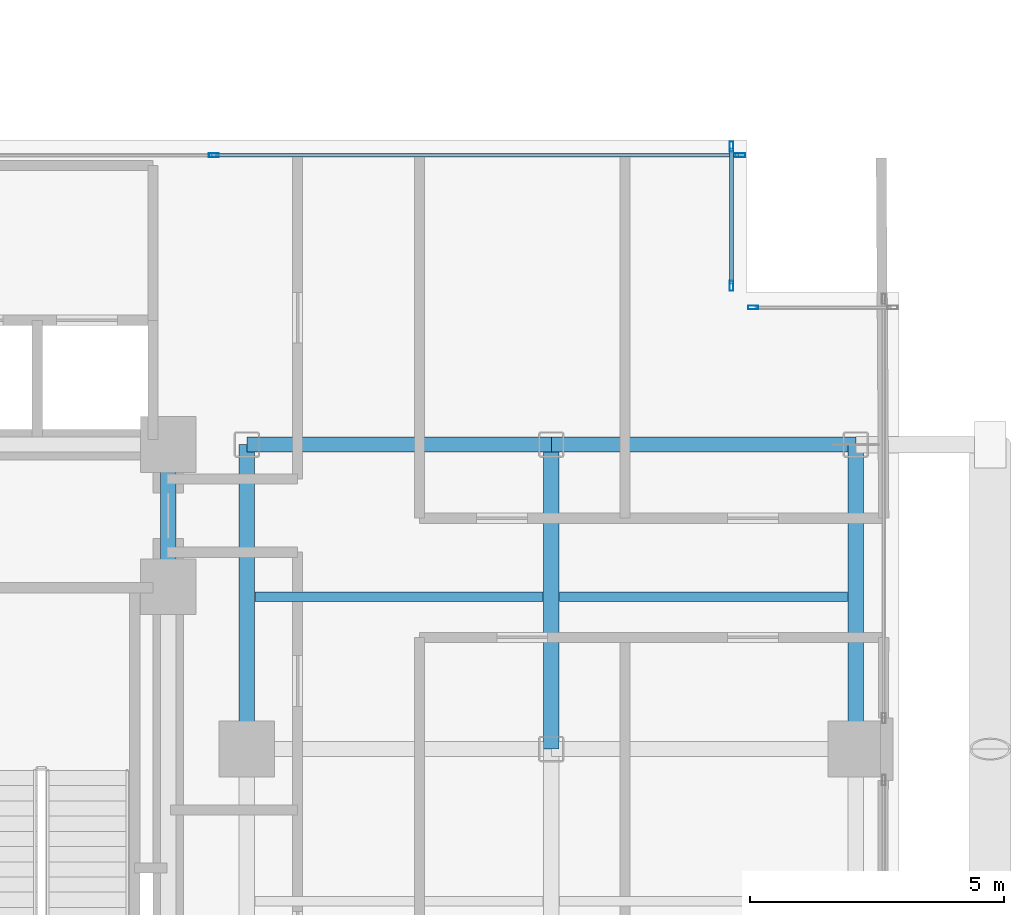
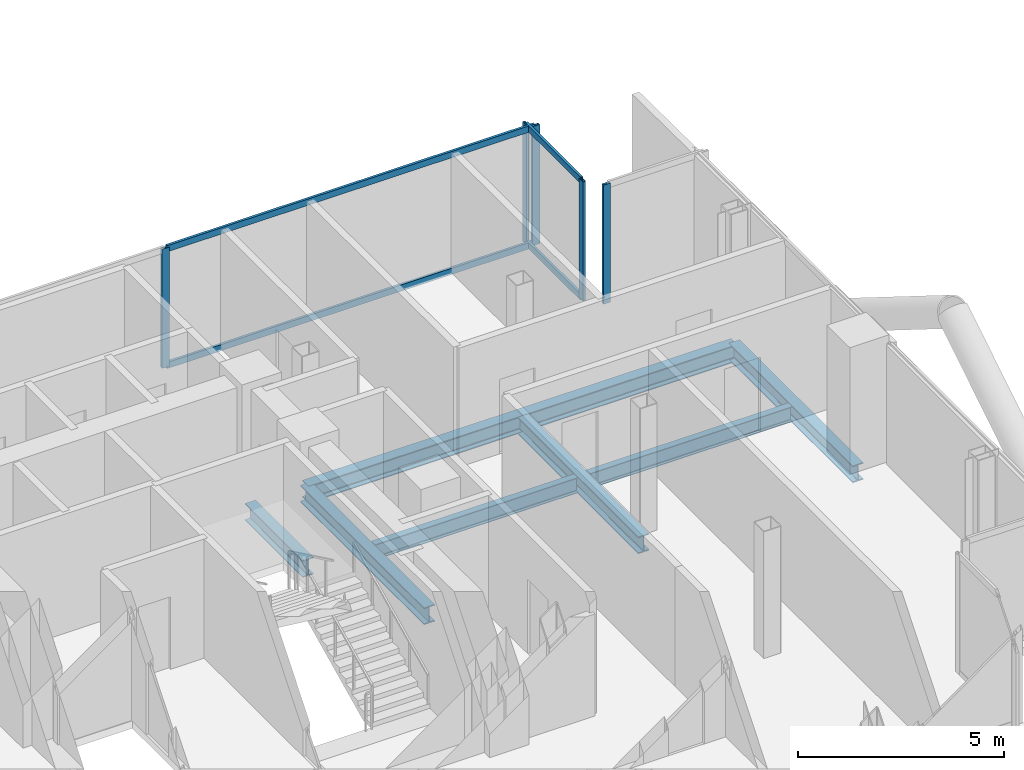
# One storey, part 13 of 28: 9 members, 8 beams, 3 elements without a shape of their own.
"""IFC4 building model written with IfcOpenShell, lengths in metres."""

from ifc_helpers import new_model, si_unit, direction, frame, origin, origin_2d, place, context, subcontext, project, spatial, hollow_rectangle, i_section, extrude, material, layer, layer_set, material_profile, profile_set, type_object, element, aggregate, save


model = new_model("IFC4")

# Units and contexts
model_context = context("Model", 3, precision=1e-05, world=origin(), true_north=direction((0.0, 1.0)))
body_context = subcontext(model_context, "Body", "Model", "MODEL_VIEW")
ifc_project = project(units=[si_unit("LENGTHUNIT", "METRE"), si_unit("AREAUNIT", "SQUARE_METRE"), si_unit("VOLUMEUNIT", "CUBIC_METRE"), si_unit("PLANEANGLEUNIT", "RADIAN"), si_unit("MASSUNIT", "GRAM", prefix="KILO"), si_unit("THERMODYNAMICTEMPERATUREUNIT", "KELVIN"), si_unit("POWERUNIT", "WATT")], contexts=[model_context])

# Site, building, storey
site_placement = place(None, origin())
site = spatial("IfcSite", under=ifc_project, at=site_placement, CompositionType="ELEMENT")
building_placement = place(site_placement, origin())
building = spatial("IfcBuilding", under=site, at=building_placement, Name="Svarakhadi Broadcast Tower", CompositionType="ELEMENT")
storey_placement = place(building_placement, frame((0.0, 0.0, 119.39990234375)))
storey = spatial("IfcBuildingStorey", under=building, at=storey_placement, Name="L28", CompositionType="ELEMENT", Elevation=119.39990234375)

# Beams
ifc_material_1 = material(Name="Steel S355J2 (IS 2062 E350C)", Category="steel")
ifc_material_profile_1 = material_profile(ifc_material_1, i_section(OverallWidth=0.18994140625, OverallDepth=0.449951171875, WebThickness=0.009521484375, FlangeThickness=0.0146484375, FilletRadius=0.02099609375, at=origin_2d()), Name="NPB 450x190x78")
ifc_profile_set_1 = profile_set([ifc_material_profile_1], Name="Steel S355J2 (IS 2062 E350C)")
beam_type_1 = type_object("IfcBeamType", Name="Beam_NPB450", PredefinedType="BEAM", material=ifc_profile_set_1)
for number, where, z_axis, x_axis, name in (
    (1, (35.31005859375, 15.0, -0.449951171875), (1.0, 0.0, 0.0), (0.0, 1.0, 0.0), "L28 Secondary Composite Beam SB021"),
    (2, (41.31005859375, 15.0, -0.449951171875), (1.0, 0.0, 0.0), (0.0, 1.0, 0.0), "L28 Secondary Composite Beam SB023"),
):
    element("IfcBeam", number, at=place(storey_placement, frame(where, z_axis=z_axis, x_axis=x_axis)), inside=storey, type_object=beam_type_1, Name=name, PredefinedType="BEAM", context=body_context, shape_type="SweptSolid", body=[
        extrude(i_section(OverallWidth=0.18994140625, OverallDepth=0.449951171875, WebThickness=0.009521484375, FlangeThickness=0.0146484375, FilletRadius=0.02099609375, at=origin_2d()), origin(), (0.0, 0.0, 1.0), 5.679931640625),
    ])

# Curtain wall, members
ifc_material_2 = material(Name="Anodised Bronze Aluminium AA 6063-T6", Category="aluminium")
ifc_layer = layer(ifc_material_2, 0.199951171875)
ifc_layer_set = layer_set([ifc_layer], Name="Anodised Bronze Aluminium AA 6063-T6")
curtain_wall_type = type_object("IfcCurtainWallType", Name="CW_Sys_03", PredefinedType="NOTDEFINED", material=ifc_layer_set)
curtain_wall_1_placement = place(storey_placement, origin())
curtain_wall_1 = element("IfcCurtainWall", 3, at=curtain_wall_1_placement, inside=storey, type_object=curtain_wall_type, Name="L28 Unitised Facade Curtain Wall 10", PredefinedType="NOTDEFINED")
ifc_material_profile_2 = material_profile(ifc_material_2, hollow_rectangle(XDim=0.074951171875, YDim=0.199951171875, WallThickness=0.005615234375, at=origin_2d()), Name="ALU MULLION 200x75x6")
ifc_profile_set_2 = profile_set([ifc_material_profile_2], Name="Anodised Bronze Aluminium AA 6063-T6")
member_type_1 = type_object("IfcMemberType", Name="CW_Sys_03_Mul", PredefinedType="MULLION", material=ifc_profile_set_2)
member_1_placement = place(storey_placement, frame((34.5, 23.699951171875, 0.0), z_axis=(0.0, 0.0, 1.0), x_axis=(0.0, 1.0, 0.0)))
member_1 = element("IfcMember", 4, at=member_1_placement, type_object=member_type_1, Name="CW-03 mullion 2", PredefinedType="MULLION", context=body_context, shape_type="SweptSolid", body=[
    extrude(hollow_rectangle(XDim=0.074951171875, YDim=0.199951171875, WallThickness=0.005615234375, at=origin_2d()), origin(), (0.0, 0.0, 1.0), 3.525146484375),
])
member_2_placement = place(storey_placement, frame((44.87255859375, 23.699951171875, 0.0), z_axis=(0.0, 0.0, 1.0), x_axis=(0.0, 1.0, 0.0)))
member_2 = element("IfcMember", 5, at=member_2_placement, type_object=member_type_1, Name="CW-03 mullion 3", PredefinedType="MULLION", context=body_context, shape_type="SweptSolid", body=[
    extrude(hollow_rectangle(XDim=0.074951171875, YDim=0.199951171875, WallThickness=0.005615234375, at=origin_2d()), origin(), (0.0, 0.0, 1.0), 3.525146484375),
])

curtain_wall_2_placement = place(storey_placement, origin())
curtain_wall_2 = element("IfcCurtainWall", 6, at=curtain_wall_2_placement, inside=storey, type_object=curtain_wall_type, Name="L28 Unitised Facade Curtain Wall 11", PredefinedType="NOTDEFINED")
member_3_placement = place(storey_placement, frame((44.699951171875, 23.87255859375, 0.0), z_axis=(0.0, 0.0, 1.0), x_axis=(1.0, 0.0, 0.0)))
member_3 = element("IfcMember", 7, at=member_3_placement, type_object=member_type_1, Name="CW-03 mullion 1", PredefinedType="MULLION", context=body_context, shape_type="SweptSolid", body=[
    extrude(hollow_rectangle(XDim=0.074951171875, YDim=0.199951171875, WallThickness=0.005615234375, at=origin_2d()), origin(), (0.0, 0.0, 1.0), 3.525146484375),
])
member_4_placement = place(storey_placement, frame((44.699951171875, 21.12744140625, 0.0), z_axis=(0.0, 0.0, 1.0), x_axis=(1.0, 0.0, 0.0)))
member_4 = element("IfcMember", 8, at=member_4_placement, type_object=member_type_1, Name="CW-03 mullion 2", PredefinedType="MULLION", context=body_context, shape_type="SweptSolid", body=[
    extrude(hollow_rectangle(XDim=0.074951171875, YDim=0.199951171875, WallThickness=0.005615234375, at=origin_2d()), origin(), (0.0, 0.0, 1.0), 3.525146484375),
])

# Curtain wall, member
curtain_wall_3_placement = place(storey_placement, origin())
curtain_wall_3 = element("IfcCurtainWall", 9, at=curtain_wall_3_placement, inside=storey, type_object=curtain_wall_type, Name="L28 Unitised Facade Curtain Wall 12", PredefinedType="NOTDEFINED")
member_5_placement = place(storey_placement, frame((45.12744140625, 20.699951171875, 0.0), z_axis=(0.0, 0.0, 1.0), x_axis=(0.0, 1.0, 0.0)))
member_5 = element("IfcMember", 10, at=member_5_placement, type_object=member_type_1, Name="CW-03 mullion 1", PredefinedType="MULLION", context=body_context, shape_type="SweptSolid", body=[
    extrude(hollow_rectangle(XDim=0.074951171875, YDim=0.199951171875, WallThickness=0.005615234375, at=origin_2d()), origin(), (0.0, 0.0, 1.0), 3.525146484375),
])
aggregate(curtain_wall_3, [member_5])

# Member
ifc_material_profile_3 = material_profile(ifc_material_2, hollow_rectangle(XDim=0.070068359375, YDim=0.18505859375, WallThickness=0.0048828125, at=origin_2d()), Name="ALU TRANSOM 185x70x5")
ifc_profile_set_3 = profile_set([ifc_material_profile_3], Name="Anodised Bronze Aluminium AA 6063-T6")
member_type_2 = type_object("IfcMemberType", Name="CW_Sys_03_Trn", PredefinedType="USERDEFINED", material=ifc_profile_set_3)
member_6_placement = place(storey_placement, frame((34.53759765625, 23.699951171875, 0.03515625), z_axis=(1.0, 0.0, 0.0), x_axis=(0.0, 1.0, 0.0)))
member_6 = element("IfcMember", 11, at=member_6_placement, type_object=member_type_2, Name="CW-03 transom 2.1", ObjectType="TRANSOM", PredefinedType="USERDEFINED", context=body_context, shape_type="SweptSolid", body=[
    extrude(hollow_rectangle(XDim=0.070068359375, YDim=0.18505859375, WallThickness=0.0048828125, at=origin_2d()), origin(), (0.0, 0.0, 1.0), 10.29736328125),
])

member_7_placement = place(storey_placement, frame((34.53759765625, 23.699951171875, 3.489990234375), z_axis=(1.0, 0.0, 0.0), x_axis=(0.0, 1.0, 0.0)))
member_7 = element("IfcMember", 12, at=member_7_placement, type_object=member_type_2, Name="CW-03 transom 2.2", ObjectType="TRANSOM", PredefinedType="USERDEFINED", context=body_context, shape_type="SweptSolid", body=[
    extrude(hollow_rectangle(XDim=0.070068359375, YDim=0.18505859375, WallThickness=0.0048828125, at=origin_2d()), origin(), (0.0, 0.0, 1.0), 10.29736328125),
])

aggregate(curtain_wall_1, [member_1, member_2, member_6, member_7])

member_8_placement = place(storey_placement, frame((44.699951171875, 23.8349609375, 0.03515625), z_axis=(0.0, -1.0, 0.0), x_axis=(1.0, 0.0, 0.0)))
member_8 = element("IfcMember", 13, at=member_8_placement, type_object=member_type_2, Name="CW-03 transom 1.1", ObjectType="TRANSOM", PredefinedType="USERDEFINED", context=body_context, shape_type="SweptSolid", body=[
    extrude(hollow_rectangle(XDim=0.070068359375, YDim=0.18505859375, WallThickness=0.0048828125, at=origin_2d()), origin(), (0.0, 0.0, 1.0), 2.669921875),
])

member_9_placement = place(storey_placement, frame((44.699951171875, 23.8349609375, 3.489990234375), z_axis=(0.0, -1.0, 0.0), x_axis=(1.0, 0.0, 0.0)))
member_9 = element("IfcMember", 14, at=member_9_placement, type_object=member_type_2, Name="CW-03 transom 1.2", ObjectType="TRANSOM", PredefinedType="USERDEFINED", context=body_context, shape_type="SweptSolid", body=[
    extrude(hollow_rectangle(XDim=0.070068359375, YDim=0.18505859375, WallThickness=0.0048828125, at=origin_2d()), origin(), (0.0, 0.0, 1.0), 2.669921875),
])

aggregate(curtain_wall_2, [member_3, member_4, member_8, member_9])

# Beams
ifc_material_profile_4 = material_profile(ifc_material_1, i_section(OverallWidth=0.300048828125, OverallDepth=0.5, WebThickness=0.014404296875, FlangeThickness=0.028076171875, FilletRadius=0.027099609375, at=origin_2d()), Name="WPB 500x300x187")
ifc_profile_set_4 = profile_set([ifc_material_profile_4], Name="Steel S355J2 (IS 2062 E350C)")
beam_type_2 = type_object("IfcBeamType", Name="Girder_WPB500", PredefinedType="USERDEFINED", material=ifc_profile_set_4)
for number, where, z_axis, x_axis, name in (
    (15, (35.14990234375, 18.0, -0.474853515625), (1.0, 0.0, 0.0), (0.0, 1.0, 0.0), "L28 Primary E-W Girder G028"),
    (16, (41.14990234375, 18.0, -0.474853515625), (1.0, 0.0, 0.0), (0.0, 1.0, 0.0), "L28 Primary E-W Girder G029"),
):
    element("IfcBeam", number, at=place(storey_placement, frame(where, z_axis=z_axis, x_axis=x_axis)), inside=storey, type_object=beam_type_2, Name=name, ObjectType="GIRDER", PredefinedType="USERDEFINED", context=body_context, shape_type="SweptSolid", body=[
        extrude(i_section(OverallWidth=0.300048828125, OverallDepth=0.5, WebThickness=0.014404296875, FlangeThickness=0.028076171875, FilletRadius=0.027099609375, at=origin_2d()), origin(), (0.0, 0.0, 1.0), 6.0),
    ])
beam_placement = place(storey_placement, frame((33.60009765625, 15.199951171875, -0.474853515625), z_axis=(0.0, 1.0, 0.0), x_axis=(-1.0, 0.0, 0.0)))
element("IfcBeam", 17, at=beam_placement, inside=storey, type_object=beam_type_2, Name="L28 Primary N-S Girder G066", ObjectType="GIRDER", PredefinedType="USERDEFINED", context=body_context, shape_type="SweptSolid", body=[
    extrude(i_section(OverallWidth=0.300048828125, OverallDepth=0.5, WebThickness=0.014404296875, FlangeThickness=0.028076171875, FilletRadius=0.027099609375, at=origin_2d()), origin(), (0.0, 0.0, 1.0), 2.800048828125),
])
for number, where, z_axis, x_axis, name in (
    (18, (35.14990234375, 12.0, -0.474853515625), (0.0, 1.0, 0.0), (-1.0, 0.0, 0.0), "L28 Primary N-S Girder G069"),
    (19, (41.14990234375, 12.0, -0.474853515625), (0.0, 1.0, 0.0), (-1.0, 0.0, 0.0), "L28 Primary N-S Girder G072"),
    (20, (47.14990234375, 12.0, -0.474853515625), (0.0, 1.0, 0.0), (-1.0, 0.0, 0.0), "L28 Primary N-S Girder G074"),
):
    element("IfcBeam", number, at=place(storey_placement, frame(where, z_axis=z_axis, x_axis=x_axis)), inside=storey, type_object=beam_type_2, Name=name, ObjectType="GIRDER", PredefinedType="USERDEFINED", context=body_context, shape_type="SweptSolid", body=[
        extrude(i_section(OverallWidth=0.300048828125, OverallDepth=0.5, WebThickness=0.014404296875, FlangeThickness=0.028076171875, FilletRadius=0.027099609375, at=origin_2d()), origin(), (0.0, 0.0, 1.0), 6.0),
    ])

save(model, "model.ifc")
